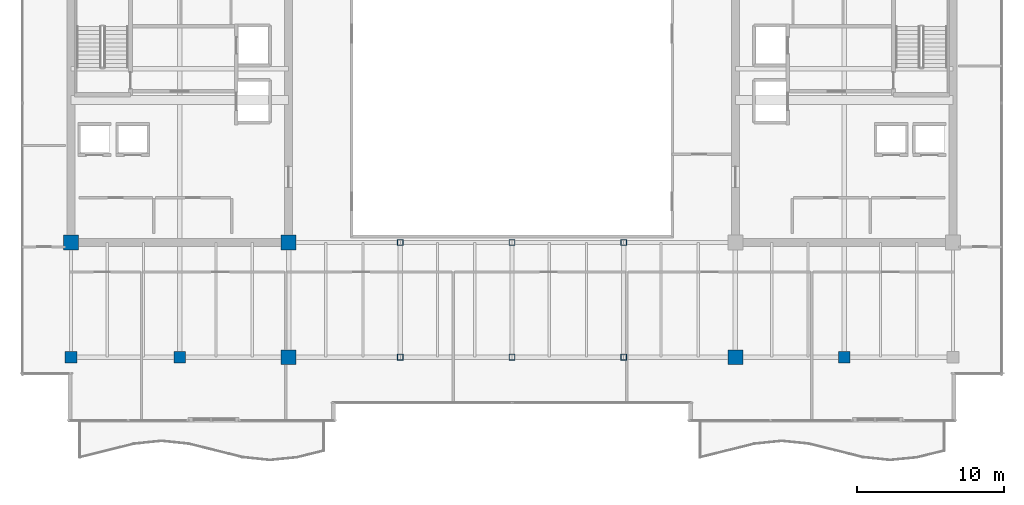
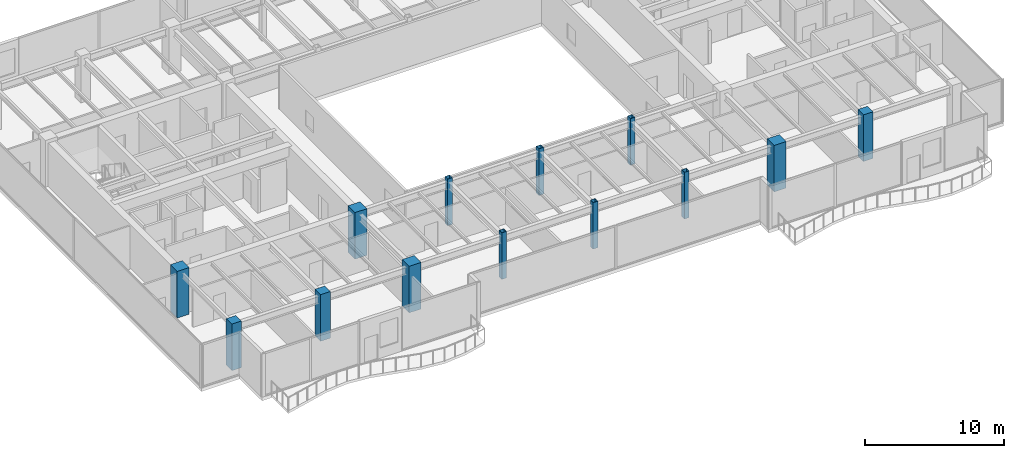
# One storey, part 1 of 34: 13 columns.
"""IFC4 building model written with IfcOpenShell, lengths in metres."""

from ifc_helpers import new_model, si_unit, direction, frame, origin, origin_2d, place, context, subcontext, project, spatial, rectangle, hollow_rectangle, extrude, source, transform, mapped, material, material_profile, profile_set, type_object, type_shapes, element, save


model = new_model("IFC4")

# Units and contexts
model_context = context("Model", 3, precision=1e-05, world=origin(), true_north=direction((0.0, 1.0)))
body_context = subcontext(model_context, "Body", "Model", "MODEL_VIEW")
ifc_project = project(units=[si_unit("LENGTHUNIT", "METRE"), si_unit("AREAUNIT", "SQUARE_METRE"), si_unit("VOLUMEUNIT", "CUBIC_METRE"), si_unit("PLANEANGLEUNIT", "RADIAN"), si_unit("MASSUNIT", "GRAM", prefix="KILO")], contexts=[model_context])

# Site, building, storey
site_placement = place(None, origin())
site = spatial("IfcSite", under=ifc_project, at=site_placement, CompositionType="ELEMENT")
building_placement = place(site_placement, origin())
building = spatial("IfcBuilding", under=site, at=building_placement, Name="Haelvirn Gate Laboratories", CompositionType="ELEMENT")
storey_placement = place(building_placement, frame((0.0, 0.0, 205.5)))
storey = spatial("IfcBuildingStorey", under=building, at=storey_placement, Name="L49", CompositionType="ELEMENT", Elevation=205.5)

# Columns
ifc_material_1 = material(Name="Concrete C60/75", Category="concrete")
ifc_material_profile_1 = material_profile(ifc_material_1, rectangle(XDim=1.0, YDim=1.0, at=origin_2d()), Name="RC-1000x1000")
ifc_profile_set_1 = profile_set([ifc_material_profile_1], Name="Concrete C60/75")
column_type_1 = type_object("IfcColumnType", Name="COL-RC-1000", PredefinedType="COLUMN", material=ifc_profile_set_1)
shared_shape_1 = source(origin(), body_context, "Body", "SweptSolid", [
    extrude(rectangle(XDim=1.0, YDim=1.0, at=origin_2d()), origin(), (0.0, 0.0, 1.0), 4.10009765625),
])
type_shapes(column_type_1, [shared_shape_1])
for number, where, z_axis, x_axis, name in (
    (1, (22.199951171875, 7.0, 0.0), (0.0, 0.0, 1.0), (1.0, 0.0, 0.0), "L49 Column 4B"),
    (2, (7.39990234375, 14.800048828125, 0.0), (0.0, 0.0, 1.0), (1.0, 0.0, 0.0), "L49 Column 2C"),
    (3, (22.199951171875, 14.800048828125, 0.0), (0.0, 0.0, 1.0), (1.0, 0.0, 0.0), "L49 Column 4C"),
    (4, (52.60009765625, 7.0, 0.0), (0.0, 0.0, 1.0), (1.0, 0.0, 0.0), "L49 Column 8B"),
):
    element("IfcColumn", number, at=place(storey_placement, frame(where, z_axis=z_axis, x_axis=x_axis)), inside=storey, type_object=column_type_1, Name=name, PredefinedType="COLUMN", context=body_context, shape_type="MappedRepresentation", body=[
        mapped(shared_shape_1, transform((0.0, 0.0, 0.0), scale=1.0)),
    ])
ifc_material_2 = material(Name="Concrete C50/60", Category="concrete")
ifc_material_profile_2 = material_profile(ifc_material_2, rectangle(XDim=0.800048828125, YDim=0.800048828125, at=origin_2d()), Name="RC-800x800")
ifc_profile_set_2 = profile_set([ifc_material_profile_2], Name="Concrete C50/60")
column_type_2 = type_object("IfcColumnType", Name="COL-RC-800", PredefinedType="COLUMN", material=ifc_profile_set_2)
shared_shape_2 = source(origin(), body_context, "Body", "SweptSolid", [
    extrude(rectangle(XDim=0.800048828125, YDim=0.800048828125, at=origin_2d()), origin(), (0.0, 0.0, 1.0), 4.10009765625),
])
type_shapes(column_type_2, [shared_shape_2])
for number, where, z_axis, x_axis, name in (
    (5, (14.800048828125, 7.0, 0.0), (0.0, 0.0, 1.0), (1.0, 0.0, 0.0), "L49 Column 3B"),
    (6, (60.0, 7.0, 0.0), (0.0, 0.0, 1.0), (1.0, 0.0, 0.0), "L49 Column 9B"),
    (7, (7.39990234375, 7.0, 0.0), (0.0, 0.0, 1.0), (1.0, 0.0, 0.0), "L49 Column 2B"),
):
    element("IfcColumn", number, at=place(storey_placement, frame(where, z_axis=z_axis, x_axis=x_axis)), inside=storey, type_object=column_type_2, Name=name, PredefinedType="COLUMN", context=body_context, shape_type="MappedRepresentation", body=[
        mapped(shared_shape_2, transform((0.0, 0.0, 0.0), scale=1.0)),
    ])
ifc_material_3 = material(Name="Steel SM355", Category="steel")
ifc_material_profile_3 = material_profile(ifc_material_3, hollow_rectangle(XDim=0.39990234375, YDim=0.39990234375, WallThickness=0.01904296875, at=origin_2d()), Name="BOX-400x400x19")
ifc_profile_set_3 = profile_set([ifc_material_profile_3], Name="Steel SM355")
column_type_3 = type_object("IfcColumnType", Name="COL-BOX-400", PredefinedType="COLUMN", material=ifc_profile_set_3)
shared_shape_3 = source(origin(), body_context, "Body", "SweptSolid", [
    extrude(hollow_rectangle(XDim=0.39990234375, YDim=0.39990234375, WallThickness=0.01904296875, at=origin_2d()), origin(), (0.0, 0.0, 1.0), 4.10009765625),
])
type_shapes(column_type_3, [shared_shape_3])
for number, where, z_axis, x_axis, name in (
    (8, (29.800048828125, 7.0, 0.0), (0.0, 0.0, 1.0), (1.0, 0.0, 0.0), "L49 Column 5B"),
    (9, (29.800048828125, 14.800048828125, 0.0), (0.0, 0.0, 1.0), (1.0, 0.0, 0.0), "L49 Column 5C"),
    (10, (37.39990234375, 7.0, 0.0), (0.0, 0.0, 1.0), (1.0, 0.0, 0.0), "L49 Column 6B"),
    (11, (37.39990234375, 14.800048828125, 0.0), (0.0, 0.0, 1.0), (1.0, 0.0, 0.0), "L49 Column 6C"),
    (12, (45.0, 7.0, 0.0), (0.0, 0.0, 1.0), (1.0, 0.0, 0.0), "L49 Column 7B"),
    (13, (45.0, 14.800048828125, 0.0), (0.0, 0.0, 1.0), (1.0, 0.0, 0.0), "L49 Column 7C"),
):
    element("IfcColumn", number, at=place(storey_placement, frame(where, z_axis=z_axis, x_axis=x_axis)), inside=storey, type_object=column_type_3, Name=name, PredefinedType="COLUMN", context=body_context, shape_type="MappedRepresentation", body=[
        mapped(shared_shape_3, transform((0.0, 0.0, 0.0), scale=1.0)),
    ])

save(model, "model.ifc")
